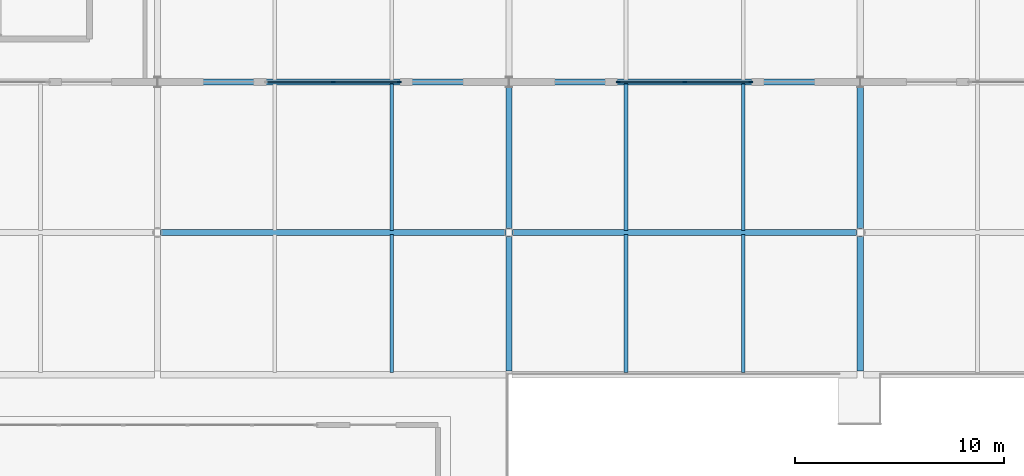
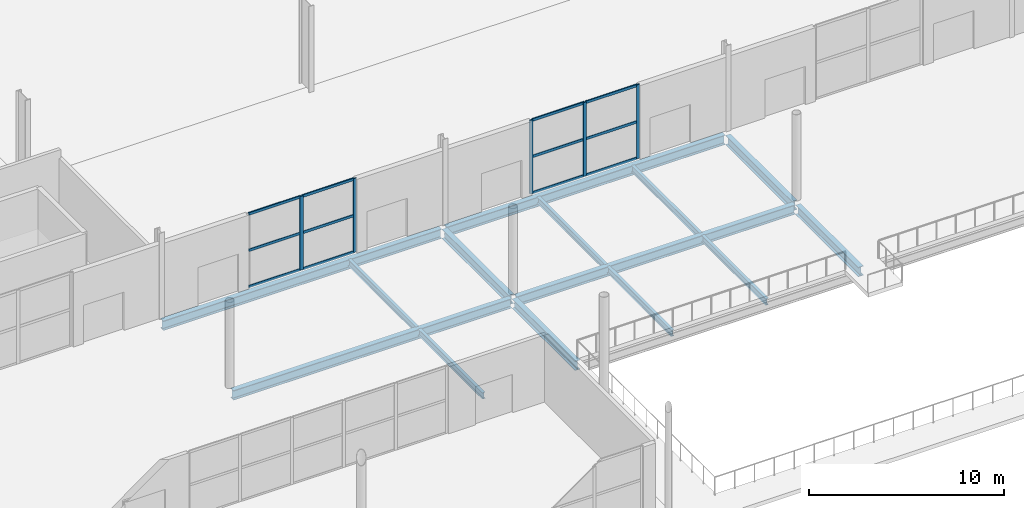
# One storey, part 25 of 87: 17 members, 14 beams, 2 elements without a shape of their own.
"""IFC4 building model written with IfcOpenShell, lengths in metres."""

from ifc_helpers import new_model, si_unit, direction, frame, origin, origin_2d, place, context, subcontext, project, spatial, rectangle, i_section, extrude, material, material_profile, profile_set, type_object, element, aggregate, save


model = new_model("IFC4")

# Units and contexts
model_context = context("Model", 3, precision=1e-05, world=origin(), true_north=direction((0.0, 1.0)))
body_context = subcontext(model_context, "Body", "Model", "MODEL_VIEW")
ifc_project = project(units=[si_unit("LENGTHUNIT", "METRE"), si_unit("AREAUNIT", "SQUARE_METRE"), si_unit("VOLUMEUNIT", "CUBIC_METRE"), si_unit("PLANEANGLEUNIT", "RADIAN"), si_unit("MASSUNIT", "GRAM", prefix="KILO")], contexts=[model_context])

# Site, building, storey
site_placement = place(None, origin())
site = spatial("IfcSite", under=ifc_project, at=site_placement, CompositionType="ELEMENT")
building_placement = place(site_placement, origin())
building = spatial("IfcBuilding", under=site, at=building_placement, Name="Kimbaza Rail Terminus", CompositionType="ELEMENT")
storey_placement = place(building_placement, origin())
storey = spatial("IfcBuildingStorey", under=building, at=storey_placement, Name="L00", CompositionType="ELEMENT", Elevation=0.0)

# Curtain wall, members
ifc_material_1 = material(Name="Anodised aluminium framing and solar low-E glazing", Category="aluminium")
curtain_wall_type = type_object("IfcCurtainWallType", Name="ARC-CW-CN1", PredefinedType="USERDEFINED", material=ifc_material_1)
curtain_wall_1_placement = place(storey_placement, origin())
curtain_wall_1 = element("IfcCurtainWall", 1, at=curtain_wall_1_placement, inside=storey, type_object=curtain_wall_type, Name="South Concourse Glazing L00 Bay 2", ObjectType="UNITISED CURTAIN WALL", PredefinedType="USERDEFINED")
ifc_material_2 = material(Name="Anodised architectural aluminium", Category="aluminium")
ifc_material_profile_1 = material_profile(ifc_material_2, rectangle(XDim=0.070068359375, YDim=0.199951171875, at=origin_2d()), Name="MULLION 70x200")
ifc_profile_set_1 = profile_set([ifc_material_profile_1], Name="Anodised architectural aluminium")
member_type_1 = type_object("IfcMemberType", Name="ARC-CWM-02", PredefinedType="MULLION", material=ifc_profile_set_1)
member_1_placement = place(storey_placement, frame((80.39990234375, 41.0, 0.0), z_axis=(0.0, 0.0, 1.0), x_axis=(0.0, 1.0, 0.0)))
member_1 = element("IfcMember", 2, at=member_1_placement, type_object=member_type_1, Name="CW-02 mullion 2", PredefinedType="MULLION", context=body_context, shape_type="SweptSolid", body=[
    extrude(rectangle(XDim=0.070068359375, YDim=0.199951171875, at=origin_2d()), origin(), (0.0, 0.0, 1.0), 4.625),
])
member_2_placement = place(storey_placement, frame((83.56494140625, 41.0, 0.0), z_axis=(0.0, 0.0, 1.0), x_axis=(0.0, 1.0, 0.0)))
member_2 = element("IfcMember", 3, at=member_2_placement, type_object=member_type_1, Name="CW-02 mullion 3", PredefinedType="MULLION", context=body_context, shape_type="SweptSolid", body=[
    extrude(rectangle(XDim=0.070068359375, YDim=0.199951171875, at=origin_2d()), origin(), (0.0, 0.0, 1.0), 4.625),
])

curtain_wall_2_placement = place(storey_placement, origin())
curtain_wall_2 = element("IfcCurtainWall", 4, at=curtain_wall_2_placement, inside=storey, type_object=curtain_wall_type, Name="South Concourse Glazing L00 Bay 3", ObjectType="UNITISED CURTAIN WALL", PredefinedType="USERDEFINED")
member_3_placement = place(storey_placement, frame((94.034912109375, 41.0, 0.0), z_axis=(0.0, 0.0, 1.0), x_axis=(0.0, 1.0, 0.0)))
member_3 = element("IfcMember", 5, at=member_3_placement, type_object=member_type_1, Name="CW-02 mullion 1", PredefinedType="MULLION", context=body_context, shape_type="SweptSolid", body=[
    extrude(rectangle(XDim=0.070068359375, YDim=0.199951171875, at=origin_2d()), origin(), (0.0, 0.0, 1.0), 4.625),
])
member_4_placement = place(storey_placement, frame((97.199951171875, 41.0, 0.0), z_axis=(0.0, 0.0, 1.0), x_axis=(0.0, 1.0, 0.0)))
member_4 = element("IfcMember", 6, at=member_4_placement, type_object=member_type_1, Name="CW-02 mullion 2", PredefinedType="MULLION", context=body_context, shape_type="SweptSolid", body=[
    extrude(rectangle(XDim=0.070068359375, YDim=0.199951171875, at=origin_2d()), origin(), (0.0, 0.0, 1.0), 4.625),
])
member_5_placement = place(storey_placement, frame((100.364990234375, 41.0, 0.0), z_axis=(0.0, 0.0, 1.0), x_axis=(0.0, 1.0, 0.0)))
member_5 = element("IfcMember", 7, at=member_5_placement, type_object=member_type_1, Name="CW-02 mullion 3", PredefinedType="MULLION", context=body_context, shape_type="SweptSolid", body=[
    extrude(rectangle(XDim=0.070068359375, YDim=0.199951171875, at=origin_2d()), origin(), (0.0, 0.0, 1.0), 4.625),
])

# Member
ifc_material_3 = material(Name="Anodised architectural aluminium", Category="aluminium")
ifc_material_profile_2 = material_profile(ifc_material_3, rectangle(XDim=0.070068359375, YDim=0.159912109375, at=origin_2d()), Name="TRANSOM 70x160")
ifc_profile_set_2 = profile_set([ifc_material_profile_2], Name="Anodised architectural aluminium")
member_type_2 = type_object("IfcMemberType", Name="ARC-CWT-02", PredefinedType="USERDEFINED", material=ifc_profile_set_2)
member_6_placement = place(storey_placement, frame((77.27001953125, 41.0, 0.034912109375), z_axis=(1.0, 0.0, 0.0), x_axis=(0.0, 1.0, 0.0)))
member_6 = element("IfcMember", 8, at=member_6_placement, type_object=member_type_2, Name="CW-02 transom 1.1", ObjectType="TRANSOM", PredefinedType="USERDEFINED", context=body_context, shape_type="SweptSolid", body=[
    extrude(rectangle(XDim=0.070068359375, YDim=0.159912109375, at=origin_2d()), origin(), (0.0, 0.0, 1.0), 3.094970703125),
])

member_7_placement = place(storey_placement, frame((77.27001953125, 41.0, 2.3125), z_axis=(1.0, 0.0, 0.0), x_axis=(0.0, 1.0, 0.0)))
member_7 = element("IfcMember", 9, at=member_7_placement, type_object=member_type_2, Name="CW-02 transom 1.2", ObjectType="TRANSOM", PredefinedType="USERDEFINED", context=body_context, shape_type="SweptSolid", body=[
    extrude(rectangle(XDim=0.070068359375, YDim=0.159912109375, at=origin_2d()), origin(), (0.0, 0.0, 1.0), 3.094970703125),
])

member_8_placement = place(storey_placement, frame((77.27001953125, 41.0, 4.590087890625), z_axis=(1.0, 0.0, 0.0), x_axis=(0.0, 1.0, 0.0)))
member_8 = element("IfcMember", 10, at=member_8_placement, type_object=member_type_2, Name="CW-02 transom 1.3", ObjectType="TRANSOM", PredefinedType="USERDEFINED", context=body_context, shape_type="SweptSolid", body=[
    extrude(rectangle(XDim=0.070068359375, YDim=0.159912109375, at=origin_2d()), origin(), (0.0, 0.0, 1.0), 3.094970703125),
])

member_9_placement = place(storey_placement, frame((80.43505859375, 41.0, 0.034912109375), z_axis=(1.0, 0.0, 0.0), x_axis=(0.0, 1.0, 0.0)))
member_9 = element("IfcMember", 11, at=member_9_placement, type_object=member_type_2, Name="CW-02 transom 2.1", ObjectType="TRANSOM", PredefinedType="USERDEFINED", context=body_context, shape_type="SweptSolid", body=[
    extrude(rectangle(XDim=0.070068359375, YDim=0.159912109375, at=origin_2d()), origin(), (0.0, 0.0, 1.0), 3.094970703125),
])

member_10_placement = place(storey_placement, frame((80.43505859375, 41.0, 2.3125), z_axis=(1.0, 0.0, 0.0), x_axis=(0.0, 1.0, 0.0)))
member_10 = element("IfcMember", 12, at=member_10_placement, type_object=member_type_2, Name="CW-02 transom 2.2", ObjectType="TRANSOM", PredefinedType="USERDEFINED", context=body_context, shape_type="SweptSolid", body=[
    extrude(rectangle(XDim=0.070068359375, YDim=0.159912109375, at=origin_2d()), origin(), (0.0, 0.0, 1.0), 3.094970703125),
])

member_11_placement = place(storey_placement, frame((80.43505859375, 41.0, 4.590087890625), z_axis=(1.0, 0.0, 0.0), x_axis=(0.0, 1.0, 0.0)))
member_11 = element("IfcMember", 13, at=member_11_placement, type_object=member_type_2, Name="CW-02 transom 2.3", ObjectType="TRANSOM", PredefinedType="USERDEFINED", context=body_context, shape_type="SweptSolid", body=[
    extrude(rectangle(XDim=0.070068359375, YDim=0.159912109375, at=origin_2d()), origin(), (0.0, 0.0, 1.0), 3.094970703125),
])

aggregate(curtain_wall_1, [member_1, member_2, member_6, member_7, member_8, member_9, member_10, member_11])

member_12_placement = place(storey_placement, frame((94.070068359375, 41.0, 0.034912109375), z_axis=(1.0, 0.0, 0.0), x_axis=(0.0, 1.0, 0.0)))
member_12 = element("IfcMember", 14, at=member_12_placement, type_object=member_type_2, Name="CW-02 transom 1.1", ObjectType="TRANSOM", PredefinedType="USERDEFINED", context=body_context, shape_type="SweptSolid", body=[
    extrude(rectangle(XDim=0.070068359375, YDim=0.159912109375, at=origin_2d()), origin(), (0.0, 0.0, 1.0), 3.094970703125),
])

member_13_placement = place(storey_placement, frame((94.070068359375, 41.0, 2.3125), z_axis=(1.0, 0.0, 0.0), x_axis=(0.0, 1.0, 0.0)))
member_13 = element("IfcMember", 15, at=member_13_placement, type_object=member_type_2, Name="CW-02 transom 1.2", ObjectType="TRANSOM", PredefinedType="USERDEFINED", context=body_context, shape_type="SweptSolid", body=[
    extrude(rectangle(XDim=0.070068359375, YDim=0.159912109375, at=origin_2d()), origin(), (0.0, 0.0, 1.0), 3.094970703125),
])

member_14_placement = place(storey_placement, frame((94.070068359375, 41.0, 4.590087890625), z_axis=(1.0, 0.0, 0.0), x_axis=(0.0, 1.0, 0.0)))
member_14 = element("IfcMember", 16, at=member_14_placement, type_object=member_type_2, Name="CW-02 transom 1.3", ObjectType="TRANSOM", PredefinedType="USERDEFINED", context=body_context, shape_type="SweptSolid", body=[
    extrude(rectangle(XDim=0.070068359375, YDim=0.159912109375, at=origin_2d()), origin(), (0.0, 0.0, 1.0), 3.094970703125),
])

member_15_placement = place(storey_placement, frame((97.235107421875, 41.0, 0.034912109375), z_axis=(1.0, 0.0, 0.0), x_axis=(0.0, 1.0, 0.0)))
member_15 = element("IfcMember", 17, at=member_15_placement, type_object=member_type_2, Name="CW-02 transom 2.1", ObjectType="TRANSOM", PredefinedType="USERDEFINED", context=body_context, shape_type="SweptSolid", body=[
    extrude(rectangle(XDim=0.070068359375, YDim=0.159912109375, at=origin_2d()), origin(), (0.0, 0.0, 1.0), 3.094970703125),
])

member_16_placement = place(storey_placement, frame((97.235107421875, 41.0, 2.3125), z_axis=(1.0, 0.0, 0.0), x_axis=(0.0, 1.0, 0.0)))
member_16 = element("IfcMember", 18, at=member_16_placement, type_object=member_type_2, Name="CW-02 transom 2.2", ObjectType="TRANSOM", PredefinedType="USERDEFINED", context=body_context, shape_type="SweptSolid", body=[
    extrude(rectangle(XDim=0.070068359375, YDim=0.159912109375, at=origin_2d()), origin(), (0.0, 0.0, 1.0), 3.094970703125),
])

member_17_placement = place(storey_placement, frame((97.235107421875, 41.0, 4.590087890625), z_axis=(1.0, 0.0, 0.0), x_axis=(0.0, 1.0, 0.0)))
member_17 = element("IfcMember", 19, at=member_17_placement, type_object=member_type_2, Name="CW-02 transom 2.3", ObjectType="TRANSOM", PredefinedType="USERDEFINED", context=body_context, shape_type="SweptSolid", body=[
    extrude(rectangle(XDim=0.070068359375, YDim=0.159912109375, at=origin_2d()), origin(), (0.0, 0.0, 1.0), 3.094970703125),
])

aggregate(curtain_wall_2, [member_3, member_4, member_5, member_12, member_13, member_14, member_15, member_16, member_17])

# Beams
ifc_material_4 = material(Name="Steel S355", Category="steel")
ifc_material_profile_3 = material_profile(ifc_material_4, i_section(OverallWidth=0.300048828125, OverallDepth=0.60009765625, WebThickness=0.015380859375, FlangeThickness=0.030029296875, FilletRadius=0.027099609375, at=origin_2d()), Name="HEB 600")
ifc_profile_set_3 = profile_set([ifc_material_profile_3], Name="Steel S355")
beam_type_1 = type_object("IfcBeamType", Name="STR-BM-HEB600", PredefinedType="BEAM", material=ifc_profile_set_3)
beam_1_placement = place(storey_placement, frame((88.800048828125, 27.175048828125, -0.550048828125), z_axis=(0.0, 1.0, 0.0), x_axis=(-1.0, 0.0, 0.0)))
element("IfcBeam", 20, at=beam_1_placement, inside=storey, type_object=beam_type_1, Name="Beam BM-V2Y-L00-2-27", PredefinedType="BEAM", context=body_context, shape_type="SweptSolid", body=[
    extrude(i_section(OverallWidth=0.300048828125, OverallDepth=0.60009765625, WebThickness=0.015380859375, FlangeThickness=0.030029296875, FilletRadius=0.027099609375, at=origin_2d()), origin(), (0.0, 0.0, 1.0), 6.449951171875),
])
beam_2_placement = place(storey_placement, frame((88.800048828125, 33.97509765625, -0.550048828125), z_axis=(0.0, 1.0, 0.0), x_axis=(-1.0, 0.0, 0.0)))
element("IfcBeam", 21, at=beam_2_placement, inside=storey, type_object=beam_type_1, Name="Beam BM-V2Y-L00-2-34", PredefinedType="BEAM", context=body_context, shape_type="SweptSolid", body=[
    extrude(i_section(OverallWidth=0.300048828125, OverallDepth=0.60009765625, WebThickness=0.015380859375, FlangeThickness=0.030029296875, FilletRadius=0.027099609375, at=origin_2d()), origin(), (0.0, 0.0, 1.0), 6.849853515625),
])
beam_3_placement = place(storey_placement, frame((105.60009765625, 27.175048828125, -0.550048828125), z_axis=(0.0, 1.0, 0.0), x_axis=(-1.0, 0.0, 0.0)))
element("IfcBeam", 22, at=beam_3_placement, inside=storey, type_object=beam_type_1, Name="Beam BM-V2Y-L00-3-27", PredefinedType="BEAM", context=body_context, shape_type="SweptSolid", body=[
    extrude(i_section(OverallWidth=0.300048828125, OverallDepth=0.60009765625, WebThickness=0.015380859375, FlangeThickness=0.030029296875, FilletRadius=0.027099609375, at=origin_2d()), origin(), (0.0, 0.0, 1.0), 6.449951171875),
])
beam_4_placement = place(storey_placement, frame((105.60009765625, 33.97509765625, -0.550048828125), z_axis=(0.0, 1.0, 0.0), x_axis=(-1.0, 0.0, 0.0)))
element("IfcBeam", 23, at=beam_4_placement, inside=storey, type_object=beam_type_1, Name="Beam BM-V2Y-L00-3-34", PredefinedType="BEAM", context=body_context, shape_type="SweptSolid", body=[
    extrude(i_section(OverallWidth=0.300048828125, OverallDepth=0.60009765625, WebThickness=0.015380859375, FlangeThickness=0.030029296875, FilletRadius=0.027099609375, at=origin_2d()), origin(), (0.0, 0.0, 1.0), 6.849853515625),
])
for number, where, z_axis, x_axis, name in (
    (24, (72.14599609375, 33.800048828125, -0.550048828125), (1.0, 0.0, 0.0), (0.0, 1.0, 0.0), "Beam BM-V2X-L00-1-1"),
    (25, (88.946044921875, 33.800048828125, -0.550048828125), (1.0, 0.0, 0.0), (0.0, 1.0, 0.0), "Beam BM-V2X-L00-1-2"),
    (26, (72.14599609375, 41.0, -0.550048828125), (1.0, 0.0, 0.0), (0.0, 1.0, 0.0), "Beam BM-V2X-L00-2-1"),
    (27, (88.946044921875, 41.0, -0.550048828125), (1.0, 0.0, 0.0), (0.0, 1.0, 0.0), "Beam BM-V2X-L00-2-2"),
):
    element("IfcBeam", number, at=place(storey_placement, frame(where, z_axis=z_axis, x_axis=x_axis)), inside=storey, type_object=beam_type_1, Name=name, PredefinedType="BEAM", context=body_context, shape_type="SweptSolid", body=[
        extrude(i_section(OverallWidth=0.300048828125, OverallDepth=0.60009765625, WebThickness=0.015380859375, FlangeThickness=0.030029296875, FilletRadius=0.027099609375, at=origin_2d()), origin(), (0.0, 0.0, 1.0), 16.508056640625),
    ])
ifc_material_5 = material(Name="Steel S355", Category="steel")
ifc_material_profile_4 = material_profile(ifc_material_5, i_section(OverallWidth=0.179931640625, OverallDepth=0.39990234375, WebThickness=0.008544921875, FlangeThickness=0.013427734375, FilletRadius=0.02099609375, at=origin_2d()), Name="IPE 400")
ifc_profile_set_4 = profile_set([ifc_material_profile_4], Name="Steel S355")
beam_type_2 = type_object("IfcBeamType", Name="STR-BM-IPE400", PredefinedType="JOIST", material=ifc_profile_set_4)
beam_5_placement = place(storey_placement, frame((83.199951171875, 27.10009765625, -0.449951171875), z_axis=(0.0, 1.0, 0.0), x_axis=(-1.0, 0.0, 0.0)))
element("IfcBeam", 28, at=beam_5_placement, inside=storey, type_object=beam_type_2, Name="Beam JST-V2-L00-2-2-27", PredefinedType="JOIST", context=body_context, shape_type="SweptSolid", body=[
    extrude(i_section(OverallWidth=0.179931640625, OverallDepth=0.39990234375, WebThickness=0.008544921875, FlangeThickness=0.013427734375, FilletRadius=0.02099609375, at=origin_2d()), origin(), (0.0, 0.0, 1.0), 6.599853515625),
])
beam_6_placement = place(storey_placement, frame((83.199951171875, 33.89990234375, -0.449951171875), z_axis=(0.0, 1.0, 0.0), x_axis=(-1.0, 0.0, 0.0)))
element("IfcBeam", 29, at=beam_6_placement, inside=storey, type_object=beam_type_2, Name="Beam JST-V2-L00-2-2-34", PredefinedType="JOIST", context=body_context, shape_type="SweptSolid", body=[
    extrude(i_section(OverallWidth=0.179931640625, OverallDepth=0.39990234375, WebThickness=0.008544921875, FlangeThickness=0.013427734375, FilletRadius=0.02099609375, at=origin_2d()), origin(), (0.0, 0.0, 1.0), 7.0),
])
beam_7_placement = place(storey_placement, frame((94.39990234375, 27.10009765625, -0.449951171875), z_axis=(0.0, 1.0, 0.0), x_axis=(-1.0, 0.0, 0.0)))
element("IfcBeam", 30, at=beam_7_placement, inside=storey, type_object=beam_type_2, Name="Beam JST-V2-L00-3-1-27", PredefinedType="JOIST", context=body_context, shape_type="SweptSolid", body=[
    extrude(i_section(OverallWidth=0.179931640625, OverallDepth=0.39990234375, WebThickness=0.008544921875, FlangeThickness=0.013427734375, FilletRadius=0.02099609375, at=origin_2d()), origin(), (0.0, 0.0, 1.0), 6.599853515625),
])
beam_8_placement = place(storey_placement, frame((94.39990234375, 33.89990234375, -0.449951171875), z_axis=(0.0, 1.0, 0.0), x_axis=(-1.0, 0.0, 0.0)))
element("IfcBeam", 31, at=beam_8_placement, inside=storey, type_object=beam_type_2, Name="Beam JST-V2-L00-3-1-34", PredefinedType="JOIST", context=body_context, shape_type="SweptSolid", body=[
    extrude(i_section(OverallWidth=0.179931640625, OverallDepth=0.39990234375, WebThickness=0.008544921875, FlangeThickness=0.013427734375, FilletRadius=0.02099609375, at=origin_2d()), origin(), (0.0, 0.0, 1.0), 7.0),
])
beam_9_placement = place(storey_placement, frame((100.0, 27.10009765625, -0.449951171875), z_axis=(0.0, 1.0, 0.0), x_axis=(-1.0, 0.0, 0.0)))
element("IfcBeam", 32, at=beam_9_placement, inside=storey, type_object=beam_type_2, Name="Beam JST-V2-L00-3-2-27", PredefinedType="JOIST", context=body_context, shape_type="SweptSolid", body=[
    extrude(i_section(OverallWidth=0.179931640625, OverallDepth=0.39990234375, WebThickness=0.008544921875, FlangeThickness=0.013427734375, FilletRadius=0.02099609375, at=origin_2d()), origin(), (0.0, 0.0, 1.0), 6.599853515625),
])
beam_10_placement = place(storey_placement, frame((100.0, 33.89990234375, -0.449951171875), z_axis=(0.0, 1.0, 0.0), x_axis=(-1.0, 0.0, 0.0)))
element("IfcBeam", 33, at=beam_10_placement, inside=storey, type_object=beam_type_2, Name="Beam JST-V2-L00-3-2-34", PredefinedType="JOIST", context=body_context, shape_type="SweptSolid", body=[
    extrude(i_section(OverallWidth=0.179931640625, OverallDepth=0.39990234375, WebThickness=0.008544921875, FlangeThickness=0.013427734375, FilletRadius=0.02099609375, at=origin_2d()), origin(), (0.0, 0.0, 1.0), 7.0),
])

save(model, "model.ifc")
